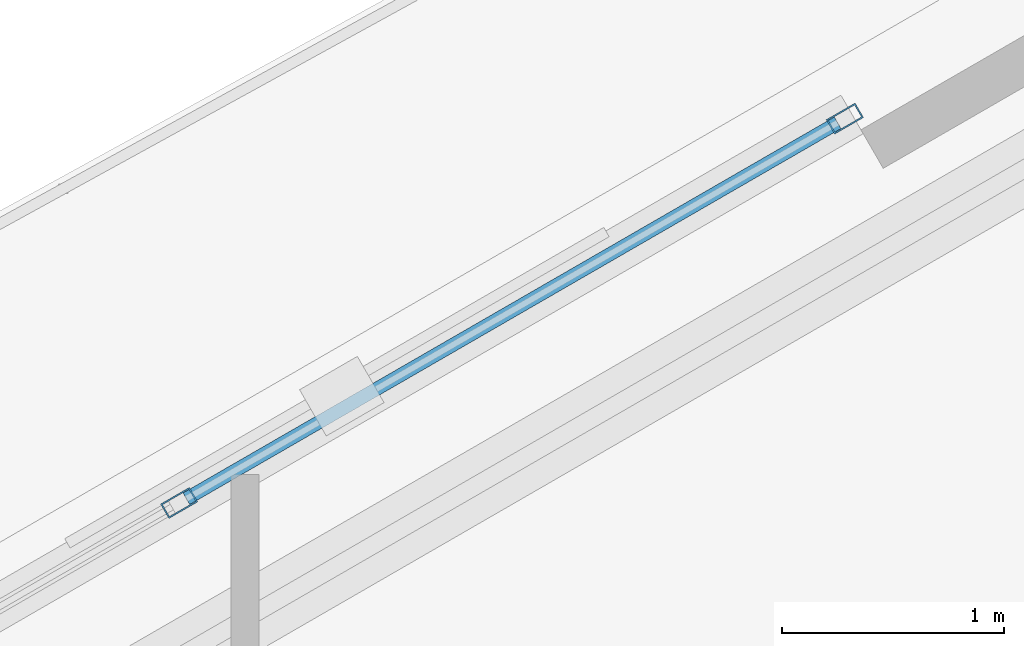
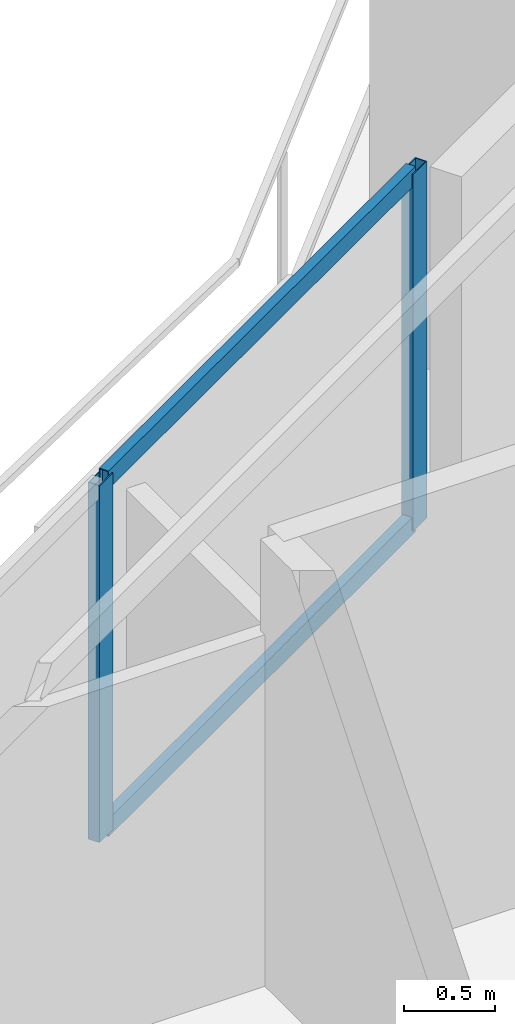
# One storey, part 10 of 18: 4 members, 1 element without a shape of its own.
"""IFC4 building model written with IfcOpenShell, lengths in metres."""

from ifc_helpers import new_model, si_unit, direction, frame, origin, origin_2d, place, context, subcontext, project, spatial, hollow_rectangle, extrude, material, layer, layer_set, material_profile, profile_set, type_object, element, aggregate, save


model = new_model("IFC4")

# Units and contexts
model_context = context("Model", 3, precision=1e-05, world=origin(), true_north=direction((0.0, 1.0)))
body_context = subcontext(model_context, "Body", "Model", "MODEL_VIEW")
ifc_project = project(units=[si_unit("LENGTHUNIT", "METRE"), si_unit("AREAUNIT", "SQUARE_METRE"), si_unit("VOLUMEUNIT", "CUBIC_METRE"), si_unit("PLANEANGLEUNIT", "RADIAN"), si_unit("MASSUNIT", "GRAM", prefix="KILO")], contexts=[model_context])

# Site, building, storey
site_placement = place(None, origin())
site = spatial("IfcSite", under=ifc_project, at=site_placement, CompositionType="ELEMENT")
building_placement = place(site_placement, origin())
building = spatial("IfcBuilding", under=site, at=building_placement, Name="Mersakhor Tower and Convention Hall", CompositionType="ELEMENT")
storey_placement = place(building_placement, frame((0.0, 0.0, 157.5)))
storey = spatial("IfcBuildingStorey", under=building, at=storey_placement, Name="L44", CompositionType="ELEMENT", Elevation=157.5)

# Curtain wall, members
ifc_material_1 = material(Name="Dark solar low-E aluminium curtain wall", Category="aluminium")
ifc_layer = layer(ifc_material_1, 0.169921875)
ifc_layer_set = layer_set([ifc_layer], Name="Dark solar low-E aluminium curtain wall")
curtain_wall_type = type_object("IfcCurtainWallType", Name="CW-SYS-02", PredefinedType="USERDEFINED", material=ifc_layer_set)
curtain_wall_placement = place(storey_placement, origin())
curtain_wall = element("IfcCurtainWall", 1, at=curtain_wall_placement, inside=storey, type_object=curtain_wall_type, Name="L44 Dark-Glass Curtain Wall F1-B2", ObjectType="CURTAIN WALL", PredefinedType="USERDEFINED")
ifc_material_2 = material(Name="Anodised aluminium EN AW-6063 T6", Category="aluminium")
ifc_material_profile_1 = material_profile(ifc_material_2, hollow_rectangle(XDim=0.074951171875, YDim=0.14990234375, WallThickness=0.00634765625, at=origin_2d()), Name="RHS 150x75x6.3")
ifc_profile_set_1 = profile_set([ifc_material_profile_1], Name="Anodised aluminium EN AW-6063 T6")
member_type_1 = type_object("IfcMemberType", Name="CWM-150x75", PredefinedType="MULLION", material=ifc_profile_set_1)
member_1_placement = place(storey_placement, frame((23.904052734375, 39.072021484375, 0.199951171875), z_axis=(0.0, 0.0, 1.0), x_axis=(-0.499990468363, 0.866030906807, 0.0)))
member_1 = element("IfcMember", 2, at=member_1_placement, type_object=member_type_1, Name="CW-02 mullion 3", PredefinedType="MULLION", context=body_context, shape_type="SweptSolid", body=[
    extrude(hollow_rectangle(XDim=0.074951171875, YDim=0.14990234375, WallThickness=0.00634765625, at=origin_2d()), origin(), (0.0, 0.0, 1.0), 2.400146484375),
])
member_2_placement = place(storey_placement, frame((26.8984375, 40.80078125, 0.199951171875), z_axis=(0.0, 0.0, 1.0), x_axis=(-0.499990468363, 0.866030906807, 0.0)))
member_2 = element("IfcMember", 3, at=member_2_placement, type_object=member_type_1, Name="CW-02 mullion 4", PredefinedType="MULLION", context=body_context, shape_type="SweptSolid", body=[
    extrude(hollow_rectangle(XDim=0.074951171875, YDim=0.14990234375, WallThickness=0.00634765625, at=origin_2d()), origin(), (0.0, 0.0, 1.0), 2.400146484375),
])
ifc_material_3 = material(Name="Anodised aluminium EN AW-6063 T6", Category="aluminium")
ifc_material_profile_2 = material_profile(ifc_material_3, hollow_rectangle(XDim=0.06005859375, YDim=0.1201171875, WallThickness=0.0048828125, at=origin_2d()), Name="RHS 120x60x5")
ifc_profile_set_2 = profile_set([ifc_material_profile_2], Name="Anodised aluminium EN AW-6063 T6")
member_type_2 = type_object("IfcMemberType", Name="CWT-120x60", PredefinedType="USERDEFINED", material=ifc_profile_set_2)
member_3_placement = place(storey_placement, frame((23.9365234375, 39.0908203125, 0.22998046875), z_axis=(0.866044963944, 0.49996611928, 0.0), x_axis=(-0.49996611928, 0.866044963944, 0.0)))
member_3 = element("IfcMember", 4, at=member_3_placement, type_object=member_type_2, Name="CW-02 transom 3.1", ObjectType="TRANSOM", PredefinedType="USERDEFINED", context=body_context, shape_type="SweptSolid", body=[
    extrude(hollow_rectangle(XDim=0.06005859375, YDim=0.1201171875, WallThickness=0.0048828125, at=origin_2d()), origin(), (0.0, 0.0, 1.0), 3.382568359375),
])
member_4_placement = place(storey_placement, frame((23.9365234375, 39.0908203125, 2.570068359375), z_axis=(0.866044963944, 0.49996611928, 0.0), x_axis=(-0.49996611928, 0.866044963944, 0.0)))
member_4 = element("IfcMember", 5, at=member_4_placement, type_object=member_type_2, Name="CW-02 transom 3.2", ObjectType="TRANSOM", PredefinedType="USERDEFINED", context=body_context, shape_type="SweptSolid", body=[
    extrude(hollow_rectangle(XDim=0.06005859375, YDim=0.1201171875, WallThickness=0.0048828125, at=origin_2d()), origin(), (0.0, 0.0, 1.0), 3.382568359375),
])
aggregate(curtain_wall, [member_1, member_2, member_3, member_4])

save(model, "model.ifc")
